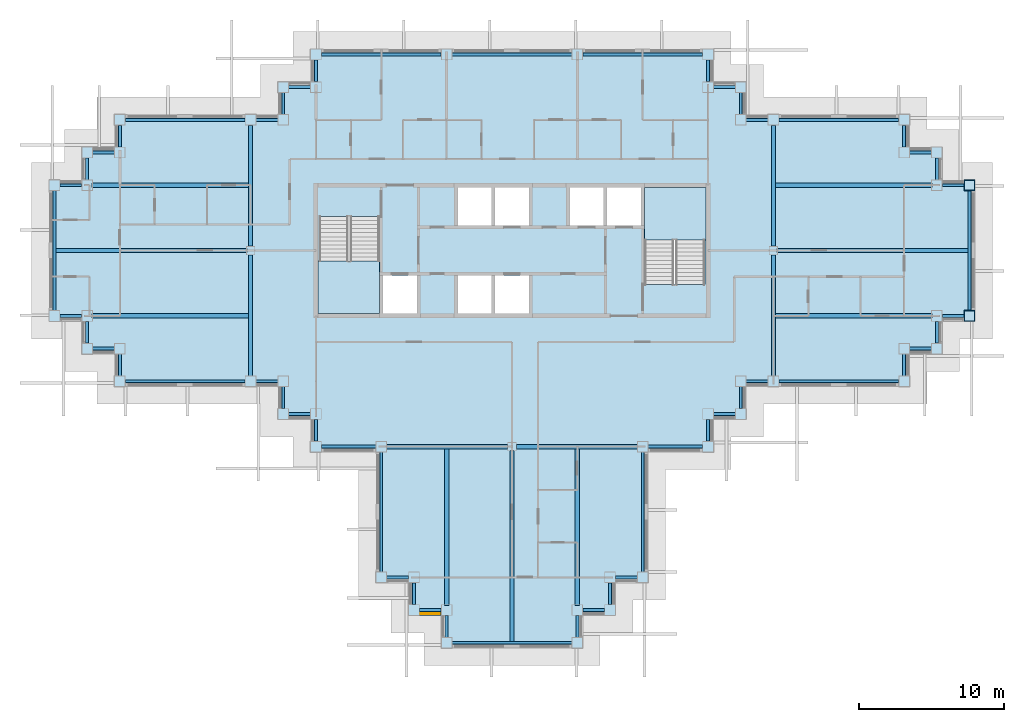
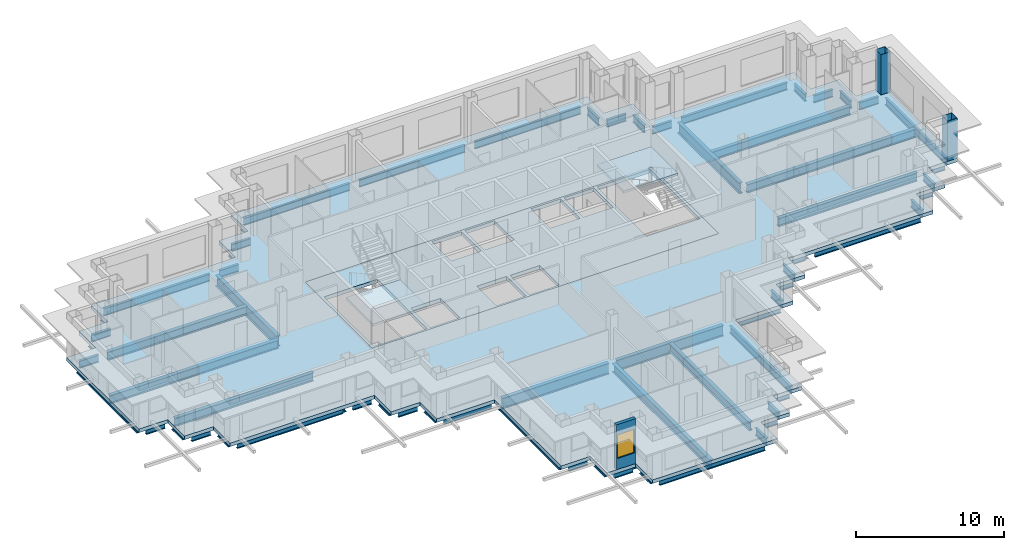
# One storey, part 2 of 14: 69 beams, 4 slabs, 2 columns, 1 wall, 1 window, 1 opening, 2 elements without a shape of their own.
"""IFC4 building model written with IfcOpenShell, lengths in metres."""

from ifc_helpers import new_model, si_unit, direction, frame, frame_2d, origin, origin_2d, place, context, subcontext, project, spatial, polyline, rectangle, hollow_rectangle, i_section, outline, extrude, material, layer, layer_set, material_profile, profile_set, type_object, element, fill, aggregate, save


model = new_model("IFC4")

# Units and contexts
model_context = context("Model", 3, precision=1e-05, world=origin(), true_north=direction((0.0, 1.0)))
body_context = subcontext(model_context, "Body", "Model", "MODEL_VIEW")
ifc_project = project(units=[si_unit("LENGTHUNIT", "METRE"), si_unit("AREAUNIT", "SQUARE_METRE"), si_unit("VOLUMEUNIT", "CUBIC_METRE"), si_unit("PLANEANGLEUNIT", "RADIAN"), si_unit("MASSUNIT", "GRAM", prefix="KILO")], contexts=[model_context])

# Site, building, storey
site_placement = place(None, origin())
site = spatial("IfcSite", under=ifc_project, at=site_placement, CompositionType="ELEMENT")
building_placement = place(site_placement, origin())
building = spatial("IfcBuilding", under=site, at=building_placement, Name="Caravel Reach Hotel and Residences", CompositionType="ELEMENT")
storey_placement = place(building_placement, frame((0.0, 0.0, 183.89990234375)))
storey = spatial("IfcBuildingStorey", under=building, at=storey_placement, Name="L46", CompositionType="ELEMENT", Elevation=183.89990234375)

# Columns
ifc_material_1 = material(Name="Concrete-filled steel tube Q390B with Concrete C60 infill", Category="concrete")
ifc_material_profile_1 = material_profile(ifc_material_1, hollow_rectangle(XDim=0.75, YDim=0.75, WallThickness=0.02392578125, at=origin_2d()), Name="RHS 750x750x24")
ifc_profile_set_1 = profile_set([ifc_material_profile_1], Name="Concrete-filled steel tube Q390B with Concrete C60 infill")
column_type = type_object("IfcColumnType", Name="CFT 750x750 Q390B C60", PredefinedType="COLUMN", material=ifc_profile_set_1)
for number, where, z_axis, x_axis, name in (
    (1, (63.0, 22.5, 0.0), (0.0, 0.0, 1.0), (1.0, 0.0, 0.0), "C14 column"),
    (2, (63.0, 31.5, 0.0), (0.0, 0.0, 1.0), (1.0, 0.0, 0.0), "C14 column"),
):
    element("IfcColumn", number, at=place(storey_placement, frame(where, z_axis=z_axis, x_axis=x_axis)), inside=storey, type_object=column_type, Name=name, PredefinedType="COLUMN", context=body_context, shape_type="SweptSolid", body=[
        extrude(hollow_rectangle(XDim=0.75, YDim=0.75, WallThickness=0.02392578125, at=origin_2d()), origin(), (0.0, 0.0, 1.0), 3.300048828125),
    ])

# Beams
ifc_material_2 = material(Name="Structural steel Q355B", Category="steel")
ifc_material_profile_2 = material_profile(ifc_material_2, i_section(OverallWidth=0.300048828125, OverallDepth=0.699951171875, WebThickness=0.012939453125, FlangeThickness=0.02392578125, FilletRadius=0.01806640625, at=origin_2d()), Name="HN 700x300x13x24")
ifc_profile_set_2 = profile_set([ifc_material_profile_2], Name="Structural steel Q355B")
beam_type_1 = type_object("IfcBeamType", Name="Beam HN 700x300x13x24", PredefinedType="BEAM", material=ifc_profile_set_2)
beam_1_placement = place(storey_placement, frame((27.0, 13.39990234375, -0.64990234375), z_axis=(0.0, -1.0, 0.0), x_axis=(1.0, 0.0, 0.0)))
element("IfcBeam", 3, at=beam_1_placement, inside=storey, type_object=beam_type_1, Name="B2 HN 700x300x13x24", PredefinedType="BEAM", context=body_context, shape_type="SweptSolid", body=[
    extrude(i_section(OverallWidth=0.300048828125, OverallDepth=0.699951171875, WebThickness=0.012939453125, FlangeThickness=0.02392578125, FilletRadius=0.01806640625, at=origin_2d()), origin(), (0.0, 0.0, 1.0), 10.824951171875),
])
beam_2_placement = place(storey_placement, frame((31.5, 13.25, -0.64990234375), z_axis=(0.0, -1.0, 0.0), x_axis=(1.0, 0.0, 0.0)))
element("IfcBeam", 4, at=beam_2_placement, inside=storey, type_object=beam_type_1, Name="B2 HN 700x300x13x24", PredefinedType="BEAM", context=body_context, shape_type="SweptSolid", body=[
    extrude(i_section(OverallWidth=0.300048828125, OverallDepth=0.699951171875, WebThickness=0.012939453125, FlangeThickness=0.02392578125, FilletRadius=0.01806640625, at=origin_2d()), origin(), (0.0, 0.0, 1.0), 13.14990234375),
])
for number, where, z_axis, x_axis, name in (
    (5, (36.0, 13.39990234375, -0.64990234375), (0.0, -1.0, 0.0), (1.0, 0.0, 0.0), "B2 HN 700x300x13x24"),
    (6, (49.60009765625, 22.5, -0.64990234375), (1.0, 0.0, 0.0), (0.0, 1.0, 0.0), "B2 HN 700x300x13x24"),
):
    element("IfcBeam", number, at=place(storey_placement, frame(where, z_axis=z_axis, x_axis=x_axis)), inside=storey, type_object=beam_type_1, Name=name, PredefinedType="BEAM", context=body_context, shape_type="SweptSolid", body=[
        extrude(i_section(OverallWidth=0.300048828125, OverallDepth=0.699951171875, WebThickness=0.012939453125, FlangeThickness=0.02392578125, FilletRadius=0.01806640625, at=origin_2d()), origin(), (0.0, 0.0, 1.0), 10.824951171875),
    ])
beam_3_placement = place(storey_placement, frame((49.75, 27.0, -0.64990234375), z_axis=(1.0, 0.0, 0.0), x_axis=(0.0, 1.0, 0.0)))
element("IfcBeam", 7, at=beam_3_placement, inside=storey, type_object=beam_type_1, Name="B2 HN 700x300x13x24", PredefinedType="BEAM", context=body_context, shape_type="SweptSolid", body=[
    extrude(i_section(OverallWidth=0.300048828125, OverallDepth=0.699951171875, WebThickness=0.012939453125, FlangeThickness=0.02392578125, FilletRadius=0.01806640625, at=origin_2d()), origin(), (0.0, 0.0, 1.0), 13.14990234375),
])
for number, where, z_axis, x_axis, name in (
    (8, (49.60009765625, 31.5, -0.64990234375), (1.0, 0.0, 0.0), (0.0, 1.0, 0.0), "B2 HN 700x300x13x24"),
    (9, (13.39990234375, 22.5, -0.64990234375), (-1.0, 0.0, 0.0), (0.0, -1.0, 0.0), "B2 HN 700x300x13x24"),
):
    element("IfcBeam", number, at=place(storey_placement, frame(where, z_axis=z_axis, x_axis=x_axis)), inside=storey, type_object=beam_type_1, Name=name, PredefinedType="BEAM", context=body_context, shape_type="SweptSolid", body=[
        extrude(i_section(OverallWidth=0.300048828125, OverallDepth=0.699951171875, WebThickness=0.012939453125, FlangeThickness=0.02392578125, FilletRadius=0.01806640625, at=origin_2d()), origin(), (0.0, 0.0, 1.0), 10.824951171875),
    ])
beam_4_placement = place(storey_placement, frame((13.25, 27.0, -0.64990234375), z_axis=(-1.0, 0.0, 0.0), x_axis=(0.0, -1.0, 0.0)))
element("IfcBeam", 10, at=beam_4_placement, inside=storey, type_object=beam_type_1, Name="B2 HN 700x300x13x24", PredefinedType="BEAM", context=body_context, shape_type="SweptSolid", body=[
    extrude(i_section(OverallWidth=0.300048828125, OverallDepth=0.699951171875, WebThickness=0.012939453125, FlangeThickness=0.02392578125, FilletRadius=0.01806640625, at=origin_2d()), origin(), (0.0, 0.0, 1.0), 13.14990234375),
])
beam_5_placement = place(storey_placement, frame((13.39990234375, 31.5, -0.64990234375), z_axis=(-1.0, 0.0, 0.0), x_axis=(0.0, -1.0, 0.0)))
element("IfcBeam", 11, at=beam_5_placement, inside=storey, type_object=beam_type_1, Name="B2 HN 700x300x13x24", PredefinedType="BEAM", context=body_context, shape_type="SweptSolid", body=[
    extrude(i_section(OverallWidth=0.300048828125, OverallDepth=0.699951171875, WebThickness=0.012939453125, FlangeThickness=0.02392578125, FilletRadius=0.01806640625, at=origin_2d()), origin(), (0.0, 0.0, 1.0), 10.824951171875),
])
ifc_material_3 = material(Name="Structural steel Q355B", Category="steel")
ifc_material_profile_3 = material_profile(ifc_material_3, i_section(OverallWidth=0.300048828125, OverallDepth=0.89990234375, WebThickness=0.01611328125, FlangeThickness=0.028076171875, FilletRadius=0.01806640625, at=origin_2d()), Name="HN 900x300x16x28")
ifc_profile_set_3 = profile_set([ifc_material_profile_3], Name="Structural steel Q355B")
beam_type_2 = type_object("IfcBeamType", Name="Beam HN 900x300x16x28", PredefinedType="BEAM", material=ifc_profile_set_3)
for number, where, z_axis, x_axis, name in (
    (12, (22.875, 13.5, -0.75), (1.0, 0.0, 0.0), (0.0, 1.0, 0.0), "B3 HN 900x300x16x28"),
    (13, (31.800048828125, 13.5, -0.75), (1.0, 0.0, 0.0), (0.0, 1.0, 0.0), "B3 HN 900x300x16x28"),
    (14, (13.5, 18.375, -0.75), (0.0, 1.0, 0.0), (-1.0, 0.0, 0.0), "B3 HN 900x300x16x28"),
    (15, (13.5, 27.300048828125, -0.75), (0.0, 1.0, 0.0), (-1.0, 0.0, 0.0), "B3 HN 900x300x16x28"),
    (16, (49.5, 18.375, -0.75), (0.0, 1.0, 0.0), (-1.0, 0.0, 0.0), "B3 HN 900x300x16x28"),
    (17, (49.5, 27.300048828125, -0.75), (0.0, 1.0, 0.0), (-1.0, 0.0, 0.0), "B3 HN 900x300x16x28"),
):
    element("IfcBeam", number, at=place(storey_placement, frame(where, z_axis=z_axis, x_axis=x_axis)), inside=storey, type_object=beam_type_2, Name=name, PredefinedType="BEAM", context=body_context, shape_type="SweptSolid", body=[
        extrude(i_section(OverallWidth=0.300048828125, OverallDepth=0.89990234375, WebThickness=0.01611328125, FlangeThickness=0.028076171875, FilletRadius=0.01806640625, at=origin_2d()), origin(), (0.0, 0.0, 1.0), 8.324951171875),
    ])
ifc_material_4 = material(Name="Structural steel Q355B", Category="steel")
ifc_material_profile_4 = material_profile(ifc_material_4, i_section(OverallWidth=0.199951171875, OverallDepth=0.60009765625, WebThickness=0.010986328125, FlangeThickness=0.01708984375, FilletRadius=0.012939453125, at=origin_2d()), Name="HN 600x200x11x17")
ifc_profile_set_4 = profile_set([ifc_material_profile_4], Name="Structural steel Q355B")
beam_type_3 = type_object("IfcBeamType", Name="Spandrel beam HN 600x200x11x17", PredefinedType="SPANDREL", material=ifc_profile_set_4)
for number, where, z_axis, x_axis, name in (
    (18, (22.875, 4.5, -0.599853515625), (1.0, 0.0, 0.0), (0.0, 1.0, 0.0), "SP1 HN 600x200x11x17"),
    (19, (24.75, 4.125, -0.599853515625), (0.0, -1.0, 0.0), (1.0, 0.0, 0.0), "SP1 HN 600x200x11x17"),
    (20, (25.125, 2.25, -0.599853515625), (1.0, 0.0, 0.0), (0.0, 1.0, 0.0), "SP1 HN 600x200x11x17"),
    (21, (27.0, 1.875, -0.599853515625), (0.0, -1.0, 0.0), (1.0, 0.0, 0.0), "SP1 HN 600x200x11x17"),
):
    element("IfcBeam", number, at=place(storey_placement, frame(where, z_axis=z_axis, x_axis=x_axis)), inside=storey, type_object=beam_type_3, Name=name, PredefinedType="SPANDREL", context=body_context, shape_type="SweptSolid", body=[
        extrude(i_section(OverallWidth=0.199951171875, OverallDepth=0.60009765625, WebThickness=0.010986328125, FlangeThickness=0.01708984375, FilletRadius=0.012939453125, at=origin_2d()), origin(), (0.0, 0.0, 1.0), 1.5),
    ])
beam_6_placement = place(storey_placement, frame((27.375, 0.0, -0.599853515625), z_axis=(1.0, 0.0, 0.0), x_axis=(0.0, 1.0, 0.0)))
element("IfcBeam", 22, at=beam_6_placement, inside=storey, type_object=beam_type_3, Name="SP1 HN 600x200x11x17", PredefinedType="SPANDREL", context=body_context, shape_type="SweptSolid", body=[
    extrude(i_section(OverallWidth=0.199951171875, OverallDepth=0.60009765625, WebThickness=0.010986328125, FlangeThickness=0.01708984375, FilletRadius=0.012939453125, at=origin_2d()), origin(), (0.0, 0.0, 1.0), 8.25),
])
for number, where, z_axis, x_axis, name in (
    (23, (36.0, 0.375, -0.599853515625), (0.0, 1.0, 0.0), (-1.0, 0.0, 0.0), "SP1 HN 600x200x11x17"),
    (24, (36.375, 2.25, -0.599853515625), (1.0, 0.0, 0.0), (0.0, 1.0, 0.0), "SP1 HN 600x200x11x17"),
    (25, (38.25, 2.625, -0.599853515625), (0.0, 1.0, 0.0), (-1.0, 0.0, 0.0), "SP1 HN 600x200x11x17"),
    (26, (38.625, 4.5, -0.599853515625), (1.0, 0.0, 0.0), (0.0, 1.0, 0.0), "SP1 HN 600x200x11x17"),
):
    element("IfcBeam", number, at=place(storey_placement, frame(where, z_axis=z_axis, x_axis=x_axis)), inside=storey, type_object=beam_type_3, Name=name, PredefinedType="SPANDREL", context=body_context, shape_type="SweptSolid", body=[
        extrude(i_section(OverallWidth=0.199951171875, OverallDepth=0.60009765625, WebThickness=0.010986328125, FlangeThickness=0.01708984375, FilletRadius=0.012939453125, at=origin_2d()), origin(), (0.0, 0.0, 1.0), 1.5),
    ])
beam_7_placement = place(storey_placement, frame((40.5, 4.875, -0.599853515625), z_axis=(0.0, 1.0, 0.0), x_axis=(-1.0, 0.0, 0.0)))
element("IfcBeam", 27, at=beam_7_placement, inside=storey, type_object=beam_type_3, Name="SP1 HN 600x200x11x17", PredefinedType="SPANDREL", context=body_context, shape_type="SweptSolid", body=[
    extrude(i_section(OverallWidth=0.199951171875, OverallDepth=0.60009765625, WebThickness=0.010986328125, FlangeThickness=0.01708984375, FilletRadius=0.012939453125, at=origin_2d()), origin(), (0.0, 0.0, 1.0), 8.25),
])
beam_8_placement = place(storey_placement, frame((40.875, 13.5, -0.599853515625), z_axis=(1.0, 0.0, 0.0), x_axis=(0.0, 1.0, 0.0)))
element("IfcBeam", 28, at=beam_8_placement, inside=storey, type_object=beam_type_3, Name="SP1 HN 600x200x11x17", PredefinedType="SPANDREL", context=body_context, shape_type="SweptSolid", body=[
    extrude(i_section(OverallWidth=0.199951171875, OverallDepth=0.60009765625, WebThickness=0.010986328125, FlangeThickness=0.01708984375, FilletRadius=0.012939453125, at=origin_2d()), origin(), (0.0, 0.0, 1.0), 3.75),
])
for number, where, z_axis, x_axis, name in (
    (29, (45.0, 13.875, -0.599853515625), (0.0, 1.0, 0.0), (-1.0, 0.0, 0.0), "SP1 HN 600x200x11x17"),
    (30, (45.375, 15.75, -0.599853515625), (1.0, 0.0, 0.0), (0.0, 1.0, 0.0), "SP1 HN 600x200x11x17"),
    (31, (47.25, 16.125, -0.599853515625), (0.0, 1.0, 0.0), (-1.0, 0.0, 0.0), "SP1 HN 600x200x11x17"),
    (32, (47.625, 18.0, -0.599853515625), (1.0, 0.0, 0.0), (0.0, 1.0, 0.0), "SP1 HN 600x200x11x17"),
):
    element("IfcBeam", number, at=place(storey_placement, frame(where, z_axis=z_axis, x_axis=x_axis)), inside=storey, type_object=beam_type_3, Name=name, PredefinedType="SPANDREL", context=body_context, shape_type="SweptSolid", body=[
        extrude(i_section(OverallWidth=0.199951171875, OverallDepth=0.60009765625, WebThickness=0.010986328125, FlangeThickness=0.01708984375, FilletRadius=0.012939453125, at=origin_2d()), origin(), (0.0, 0.0, 1.0), 1.5),
    ])
beam_9_placement = place(storey_placement, frame((49.875, 18.0, -0.599853515625), z_axis=(1.0, 0.0, 0.0), x_axis=(0.0, 1.0, 0.0)))
element("IfcBeam", 33, at=beam_9_placement, inside=storey, type_object=beam_type_3, Name="SP1 HN 600x200x11x17", PredefinedType="SPANDREL", context=body_context, shape_type="SweptSolid", body=[
    extrude(i_section(OverallWidth=0.199951171875, OverallDepth=0.60009765625, WebThickness=0.010986328125, FlangeThickness=0.01708984375, FilletRadius=0.012939453125, at=origin_2d()), origin(), (0.0, 0.0, 1.0), 8.25),
])
for number, where, z_axis, x_axis, name in (
    (34, (58.5, 18.375, -0.599853515625), (0.0, 1.0, 0.0), (-1.0, 0.0, 0.0), "SP1 HN 600x200x11x17"),
    (35, (58.875, 20.25, -0.599853515625), (1.0, 0.0, 0.0), (0.0, 1.0, 0.0), "SP1 HN 600x200x11x17"),
    (36, (60.75, 20.625, -0.599853515625), (0.0, 1.0, 0.0), (-1.0, 0.0, 0.0), "SP1 HN 600x200x11x17"),
    (37, (61.125, 22.5, -0.599853515625), (1.0, 0.0, 0.0), (0.0, 1.0, 0.0), "SP1 HN 600x200x11x17"),
):
    element("IfcBeam", number, at=place(storey_placement, frame(where, z_axis=z_axis, x_axis=x_axis)), inside=storey, type_object=beam_type_3, Name=name, PredefinedType="SPANDREL", context=body_context, shape_type="SweptSolid", body=[
        extrude(i_section(OverallWidth=0.199951171875, OverallDepth=0.60009765625, WebThickness=0.010986328125, FlangeThickness=0.01708984375, FilletRadius=0.012939453125, at=origin_2d()), origin(), (0.0, 0.0, 1.0), 1.5),
    ])
beam_10_placement = place(storey_placement, frame((63.0, 22.875, -0.599853515625), z_axis=(0.0, 1.0, 0.0), x_axis=(-1.0, 0.0, 0.0)))
element("IfcBeam", 38, at=beam_10_placement, inside=storey, type_object=beam_type_3, Name="SP1 HN 600x200x11x17", PredefinedType="SPANDREL", context=body_context, shape_type="SweptSolid", body=[
    extrude(i_section(OverallWidth=0.199951171875, OverallDepth=0.60009765625, WebThickness=0.010986328125, FlangeThickness=0.01708984375, FilletRadius=0.012939453125, at=origin_2d()), origin(), (0.0, 0.0, 1.0), 8.25),
])
for number, where, z_axis, x_axis, name in (
    (39, (62.625, 31.5, -0.599853515625), (-1.0, 0.0, 0.0), (0.0, -1.0, 0.0), "SP1 HN 600x200x11x17"),
    (40, (60.75, 31.875, -0.599853515625), (0.0, 1.0, 0.0), (-1.0, 0.0, 0.0), "SP1 HN 600x200x11x17"),
    (41, (60.375, 33.75, -0.599853515625), (-1.0, 0.0, 0.0), (0.0, -1.0, 0.0), "SP1 HN 600x200x11x17"),
    (42, (58.5, 34.125, -0.599853515625), (0.0, 1.0, 0.0), (-1.0, 0.0, 0.0), "SP1 HN 600x200x11x17"),
):
    element("IfcBeam", number, at=place(storey_placement, frame(where, z_axis=z_axis, x_axis=x_axis)), inside=storey, type_object=beam_type_3, Name=name, PredefinedType="SPANDREL", context=body_context, shape_type="SweptSolid", body=[
        extrude(i_section(OverallWidth=0.199951171875, OverallDepth=0.60009765625, WebThickness=0.010986328125, FlangeThickness=0.01708984375, FilletRadius=0.012939453125, at=origin_2d()), origin(), (0.0, 0.0, 1.0), 1.5),
    ])
beam_11_placement = place(storey_placement, frame((58.125, 36.0, -0.599853515625), z_axis=(-1.0, 0.0, 0.0), x_axis=(0.0, -1.0, 0.0)))
element("IfcBeam", 43, at=beam_11_placement, inside=storey, type_object=beam_type_3, Name="SP1 HN 600x200x11x17", PredefinedType="SPANDREL", context=body_context, shape_type="SweptSolid", body=[
    extrude(i_section(OverallWidth=0.199951171875, OverallDepth=0.60009765625, WebThickness=0.010986328125, FlangeThickness=0.01708984375, FilletRadius=0.012939453125, at=origin_2d()), origin(), (0.0, 0.0, 1.0), 8.25),
])
for number, where, z_axis, x_axis, name in (
    (44, (49.125, 36.0, -0.599853515625), (-1.0, 0.0, 0.0), (0.0, -1.0, 0.0), "SP1 HN 600x200x11x17"),
    (45, (47.25, 36.375, -0.599853515625), (0.0, 1.0, 0.0), (-1.0, 0.0, 0.0), "SP1 HN 600x200x11x17"),
    (46, (46.875, 38.25, -0.599853515625), (-1.0, 0.0, 0.0), (0.0, -1.0, 0.0), "SP1 HN 600x200x11x17"),
    (47, (45.0, 38.625, -0.599853515625), (0.0, 1.0, 0.0), (-1.0, 0.0, 0.0), "SP1 HN 600x200x11x17"),
):
    element("IfcBeam", number, at=place(storey_placement, frame(where, z_axis=z_axis, x_axis=x_axis)), inside=storey, type_object=beam_type_3, Name=name, PredefinedType="SPANDREL", context=body_context, shape_type="SweptSolid", body=[
        extrude(i_section(OverallWidth=0.199951171875, OverallDepth=0.60009765625, WebThickness=0.010986328125, FlangeThickness=0.01708984375, FilletRadius=0.012939453125, at=origin_2d()), origin(), (0.0, 0.0, 1.0), 1.5),
    ])
for number, where, z_axis, x_axis, name in (
    (48, (44.625, 40.5, -0.599853515625), (-1.0, 0.0, 0.0), (0.0, -1.0, 0.0), "SP1 HN 600x200x11x17"),
    (49, (35.625, 40.5, -0.599853515625), (-1.0, 0.0, 0.0), (0.0, -1.0, 0.0), "SP1 HN 600x200x11x17"),
    (50, (26.625, 40.5, -0.599853515625), (-1.0, 0.0, 0.0), (0.0, -1.0, 0.0), "SP1 HN 600x200x11x17"),
):
    element("IfcBeam", number, at=place(storey_placement, frame(where, z_axis=z_axis, x_axis=x_axis)), inside=storey, type_object=beam_type_3, Name=name, PredefinedType="SPANDREL", context=body_context, shape_type="SweptSolid", body=[
        extrude(i_section(OverallWidth=0.199951171875, OverallDepth=0.60009765625, WebThickness=0.010986328125, FlangeThickness=0.01708984375, FilletRadius=0.012939453125, at=origin_2d()), origin(), (0.0, 0.0, 1.0), 8.25),
    ])
for number, where, z_axis, x_axis, name in (
    (51, (18.0, 40.125, -0.599853515625), (0.0, -1.0, 0.0), (1.0, 0.0, 0.0), "SP1 HN 600x200x11x17"),
    (52, (17.625, 38.25, -0.599853515625), (-1.0, 0.0, 0.0), (0.0, -1.0, 0.0), "SP1 HN 600x200x11x17"),
    (53, (15.75, 37.875, -0.599853515625), (0.0, -1.0, 0.0), (1.0, 0.0, 0.0), "SP1 HN 600x200x11x17"),
    (54, (15.375, 36.0, -0.599853515625), (-1.0, 0.0, 0.0), (0.0, -1.0, 0.0), "SP1 HN 600x200x11x17"),
):
    element("IfcBeam", number, at=place(storey_placement, frame(where, z_axis=z_axis, x_axis=x_axis)), inside=storey, type_object=beam_type_3, Name=name, PredefinedType="SPANDREL", context=body_context, shape_type="SweptSolid", body=[
        extrude(i_section(OverallWidth=0.199951171875, OverallDepth=0.60009765625, WebThickness=0.010986328125, FlangeThickness=0.01708984375, FilletRadius=0.012939453125, at=origin_2d()), origin(), (0.0, 0.0, 1.0), 1.5),
    ])
beam_12_placement = place(storey_placement, frame((13.125, 36.0, -0.599853515625), z_axis=(-1.0, 0.0, 0.0), x_axis=(0.0, -1.0, 0.0)))
element("IfcBeam", 55, at=beam_12_placement, inside=storey, type_object=beam_type_3, Name="SP1 HN 600x200x11x17", PredefinedType="SPANDREL", context=body_context, shape_type="SweptSolid", body=[
    extrude(i_section(OverallWidth=0.199951171875, OverallDepth=0.60009765625, WebThickness=0.010986328125, FlangeThickness=0.01708984375, FilletRadius=0.012939453125, at=origin_2d()), origin(), (0.0, 0.0, 1.0), 8.25),
])
for number, where, z_axis, x_axis, name in (
    (56, (4.5, 35.625, -0.599853515625), (0.0, -1.0, 0.0), (1.0, 0.0, 0.0), "SP1 HN 600x200x11x17"),
    (57, (4.125, 33.75, -0.599853515625), (-1.0, 0.0, 0.0), (0.0, -1.0, 0.0), "SP1 HN 600x200x11x17"),
    (58, (2.25, 33.375, -0.599853515625), (0.0, -1.0, 0.0), (1.0, 0.0, 0.0), "SP1 HN 600x200x11x17"),
    (59, (1.875, 31.5, -0.599853515625), (-1.0, 0.0, 0.0), (0.0, -1.0, 0.0), "SP1 HN 600x200x11x17"),
):
    element("IfcBeam", number, at=place(storey_placement, frame(where, z_axis=z_axis, x_axis=x_axis)), inside=storey, type_object=beam_type_3, Name=name, PredefinedType="SPANDREL", context=body_context, shape_type="SweptSolid", body=[
        extrude(i_section(OverallWidth=0.199951171875, OverallDepth=0.60009765625, WebThickness=0.010986328125, FlangeThickness=0.01708984375, FilletRadius=0.012939453125, at=origin_2d()), origin(), (0.0, 0.0, 1.0), 1.5),
    ])
beam_13_placement = place(storey_placement, frame((0.0, 31.125, -0.599853515625), z_axis=(0.0, -1.0, 0.0), x_axis=(1.0, 0.0, 0.0)))
element("IfcBeam", 60, at=beam_13_placement, inside=storey, type_object=beam_type_3, Name="SP1 HN 600x200x11x17", PredefinedType="SPANDREL", context=body_context, shape_type="SweptSolid", body=[
    extrude(i_section(OverallWidth=0.199951171875, OverallDepth=0.60009765625, WebThickness=0.010986328125, FlangeThickness=0.01708984375, FilletRadius=0.012939453125, at=origin_2d()), origin(), (0.0, 0.0, 1.0), 8.25),
])
for number, where, z_axis, x_axis, name in (
    (61, (0.375, 22.5, -0.599853515625), (1.0, 0.0, 0.0), (0.0, 1.0, 0.0), "SP1 HN 600x200x11x17"),
    (62, (2.25, 22.125, -0.599853515625), (0.0, -1.0, 0.0), (1.0, 0.0, 0.0), "SP1 HN 600x200x11x17"),
    (63, (2.625, 20.25, -0.599853515625), (1.0, 0.0, 0.0), (0.0, 1.0, 0.0), "SP1 HN 600x200x11x17"),
    (64, (4.5, 19.875, -0.599853515625), (0.0, -1.0, 0.0), (1.0, 0.0, 0.0), "SP1 HN 600x200x11x17"),
):
    element("IfcBeam", number, at=place(storey_placement, frame(where, z_axis=z_axis, x_axis=x_axis)), inside=storey, type_object=beam_type_3, Name=name, PredefinedType="SPANDREL", context=body_context, shape_type="SweptSolid", body=[
        extrude(i_section(OverallWidth=0.199951171875, OverallDepth=0.60009765625, WebThickness=0.010986328125, FlangeThickness=0.01708984375, FilletRadius=0.012939453125, at=origin_2d()), origin(), (0.0, 0.0, 1.0), 1.5),
    ])
beam_14_placement = place(storey_placement, frame((4.875, 18.0, -0.599853515625), z_axis=(1.0, 0.0, 0.0), x_axis=(0.0, 1.0, 0.0)))
element("IfcBeam", 65, at=beam_14_placement, inside=storey, type_object=beam_type_3, Name="SP1 HN 600x200x11x17", PredefinedType="SPANDREL", context=body_context, shape_type="SweptSolid", body=[
    extrude(i_section(OverallWidth=0.199951171875, OverallDepth=0.60009765625, WebThickness=0.010986328125, FlangeThickness=0.01708984375, FilletRadius=0.012939453125, at=origin_2d()), origin(), (0.0, 0.0, 1.0), 8.25),
])
for number, where, z_axis, x_axis, name in (
    (66, (13.875, 18.0, -0.599853515625), (1.0, 0.0, 0.0), (0.0, 1.0, 0.0), "SP1 HN 600x200x11x17"),
    (67, (15.75, 17.625, -0.599853515625), (0.0, -1.0, 0.0), (1.0, 0.0, 0.0), "SP1 HN 600x200x11x17"),
    (68, (16.125, 15.75, -0.599853515625), (1.0, 0.0, 0.0), (0.0, 1.0, 0.0), "SP1 HN 600x200x11x17"),
    (69, (18.0, 15.375, -0.599853515625), (0.0, -1.0, 0.0), (1.0, 0.0, 0.0), "SP1 HN 600x200x11x17"),
):
    element("IfcBeam", number, at=place(storey_placement, frame(where, z_axis=z_axis, x_axis=x_axis)), inside=storey, type_object=beam_type_3, Name=name, PredefinedType="SPANDREL", context=body_context, shape_type="SweptSolid", body=[
        extrude(i_section(OverallWidth=0.199951171875, OverallDepth=0.60009765625, WebThickness=0.010986328125, FlangeThickness=0.01708984375, FilletRadius=0.012939453125, at=origin_2d()), origin(), (0.0, 0.0, 1.0), 1.5),
    ])
beam_15_placement = place(storey_placement, frame((18.375, 13.5, -0.599853515625), z_axis=(1.0, 0.0, 0.0), x_axis=(0.0, 1.0, 0.0)))
element("IfcBeam", 70, at=beam_15_placement, inside=storey, type_object=beam_type_3, Name="SP1 HN 600x200x11x17", PredefinedType="SPANDREL", context=body_context, shape_type="SweptSolid", body=[
    extrude(i_section(OverallWidth=0.199951171875, OverallDepth=0.60009765625, WebThickness=0.010986328125, FlangeThickness=0.01708984375, FilletRadius=0.012939453125, at=origin_2d()), origin(), (0.0, 0.0, 1.0), 3.75),
])
beam_16_placement = place(storey_placement, frame((22.5, 13.125, -0.599853515625), z_axis=(0.0, -1.0, 0.0), x_axis=(1.0, 0.0, 0.0)))
element("IfcBeam", 71, at=beam_16_placement, inside=storey, type_object=beam_type_3, Name="SP1 HN 600x200x11x17", PredefinedType="SPANDREL", context=body_context, shape_type="SweptSolid", body=[
    extrude(i_section(OverallWidth=0.199951171875, OverallDepth=0.60009765625, WebThickness=0.010986328125, FlangeThickness=0.01708984375, FilletRadius=0.012939453125, at=origin_2d()), origin(), (0.0, 0.0, 1.0), 8.25),
])

# Slab
ifc_material_5 = material(Name="Concrete C40", Category="concrete")
ifc_layer_1 = layer(ifc_material_5, 0.300048828125)
ifc_layer_set_1 = layer_set([ifc_layer_1], Name="Core floor slab 300 mm")
slab_type_1 = type_object("IfcSlabType", Name="Core floor slab 300 mm", PredefinedType="FLOOR", material=ifc_layer_set_1)
slab_1_placement = place(storey_placement, frame((0.0, 0.0, -0.2998046875)))
element("IfcSlab", 72, at=slab_1_placement, inside=storey, type_object=slab_type_1, Name="L46 core floor", PredefinedType="FLOOR", context=body_context, shape_type="SweptSolid", body=[
    extrude(outline(polyline([(18.0, 31.5), (45.0, 31.5), (45.0, 22.5), (18.0, 22.5), (18.0, 31.5)]), holes=[polyline([(22.625, 25.27490234375), (22.625, 22.64990234375), (24.9462890625, 22.64990234375), (24.9462890625, 25.27490234375), (22.625, 25.27490234375)]), polyline([(27.767822265625, 25.27490234375), (27.767822265625, 22.64990234375), (30.08935546875, 22.64990234375), (30.08935546875, 25.27490234375), (27.767822265625, 25.27490234375)]), polyline([(30.33935546875, 25.27490234375), (30.33935546875, 22.64990234375), (32.66064453125, 22.64990234375), (32.66064453125, 25.27490234375), (30.33935546875, 25.27490234375)]), polyline([(22.375, 22.64990234375), (22.375, 29.35009765625), (18.22509765625, 29.35009765625), (18.22509765625, 22.64990234375), (22.375, 22.64990234375)]), polyline([(40.625, 31.35009765625), (40.625, 24.64990234375), (44.77490234375, 24.64990234375), (44.77490234375, 31.35009765625), (40.625, 31.35009765625)]), polyline([(27.767822265625, 31.35009765625), (27.767822265625, 28.72509765625), (30.08935546875, 28.72509765625), (30.08935546875, 31.35009765625), (27.767822265625, 31.35009765625)]), polyline([(30.33935546875, 31.35009765625), (30.33935546875, 28.72509765625), (32.66064453125, 28.72509765625), (32.66064453125, 31.35009765625), (30.33935546875, 31.35009765625)]), polyline([(37.8037109375, 31.35009765625), (35.482177734375, 31.35009765625), (35.482177734375, 28.72509765625), (37.8037109375, 28.72509765625), (37.8037109375, 31.35009765625)]), polyline([(40.375, 31.35009765625), (38.0537109375, 31.35009765625), (38.0537109375, 28.72509765625), (40.375, 28.72509765625), (40.375, 31.35009765625)])]), origin(), (0.0, 0.0, 1.0), 0.2998046875),
])

# Stair, slab
ifc_material_6 = material(Name="Concrete C40", Category="concrete")
stair_type = type_object("IfcStairType", Name="Core stair", PredefinedType="HALF_TURN_STAIR", material=ifc_material_6)
stair_1_placement = place(storey_placement, origin())
stair_1 = element("IfcStair", 73, at=stair_1_placement, inside=storey, type_object=stair_type, Name="L46 Exit stair A", PredefinedType="HALF_TURN_STAIR")
ifc_material_7 = material(Name="Concrete C40", Category="concrete")
ifc_layer_2 = layer(ifc_material_7, 0.199951171875)
ifc_layer_set_2 = layer_set([ifc_layer_2], Name="Core stair landing")
slab_type_2 = type_object("IfcSlabType", Name="Core stair landing", PredefinedType="LANDING", material=ifc_layer_set_2)
slab_2_placement = place(storey_placement, frame((0.0, 0.0, 1.650146484375)))
slab_2 = element("IfcSlab", 74, at=slab_2_placement, type_object=slab_type_2, Name="ST-A landing 1", PredefinedType="LANDING", context=body_context, shape_type="SweptSolid", body=[
    extrude(outline(polyline([(18.14990234375, 26.27001953125), (18.14990234375, 22.64990234375), (22.375, 22.64990234375), (22.375, 26.27001953125), (18.14990234375, 26.27001953125)])), origin(), (0.0, 0.0, 1.0), 0.199951171875),
])
aggregate(stair_1, [slab_2])

stair_2_placement = place(storey_placement, origin())
stair_2 = element("IfcStair", 75, at=stair_2_placement, inside=storey, type_object=stair_type, Name="L46 Exit stair B", PredefinedType="HALF_TURN_STAIR")
slab_3_placement = place(storey_placement, frame((0.0, 0.0, 1.650146484375)))
slab_3 = element("IfcSlab", 76, at=slab_3_placement, type_object=slab_type_2, Name="ST-B landing 1", PredefinedType="LANDING", context=body_context, shape_type="SweptSolid", body=[
    extrude(outline(polyline([(44.85009765625, 27.72998046875), (44.85009765625, 31.35009765625), (40.625, 31.35009765625), (40.625, 27.72998046875), (44.85009765625, 27.72998046875)])), origin(), (0.0, 0.0, 1.0), 0.199951171875),
])
aggregate(stair_2, [slab_3])

# Slab
ifc_material_8 = material(Name="Concrete C40 post-tensioned", Category="concrete")
ifc_layer_3 = layer(ifc_material_8, 0.300048828125)
ifc_layer_set_3 = layer_set([ifc_layer_3], Name="Floor slab 300")
slab_type_3 = type_object("IfcSlabType", Name="Floor slab 300", PredefinedType="FLOOR", material=ifc_layer_set_3)
slab_4_placement = place(storey_placement, frame((0.0, 0.0, -0.2998046875)))
element("IfcSlab", 77, at=slab_4_placement, inside=storey, type_object=slab_type_3, Name="S2 slab L46", PredefinedType="FLOOR", context=body_context, shape_type="SweptSolid", body=[
    extrude(outline(polyline([(17.625, 13.125), (17.625, 15.375), (15.375, 15.375), (15.375, 17.625), (4.125, 17.625), (4.125, 19.875), (1.875, 19.875), (1.875, 22.125), (-0.375, 22.125), (-0.375, 31.875), (1.875, 31.875), (1.875, 34.125), (4.125, 34.125), (4.125, 36.375), (15.375, 36.375), (15.375, 38.625), (17.625, 38.625), (17.625, 40.875), (45.375, 40.875), (45.375, 38.625), (47.625, 38.625), (47.625, 36.375), (58.875, 36.375), (58.875, 34.125), (61.125, 34.125), (61.125, 31.875), (63.375, 31.875), (63.375, 22.125), (61.125, 22.125), (61.125, 19.875), (58.875, 19.875), (58.875, 17.625), (47.625, 17.625), (47.625, 15.375), (45.375, 15.375), (45.375, 13.125), (40.875, 13.125), (40.875, 4.125), (38.625, 4.125), (38.625, 1.875), (36.375, 1.875), (36.375, -0.375), (26.625, -0.375), (26.625, 1.875), (24.375, 1.875), (24.375, 4.125), (22.125, 4.125), (22.125, 13.125), (17.625, 13.125)]), holes=[polyline([(45.0, 31.5), (18.0, 31.5), (18.0, 22.5), (45.0, 22.5), (45.0, 31.5)])]), origin(), (0.0, 0.0, 1.0), 0.2998046875),
])

# Wall, opening, window
ifc_material_9 = material(Name="Insulated rainscreen wall, aluminium cladding", Category="aluminium")
ifc_layer_4 = layer(ifc_material_9, 0.25)
ifc_layer_set_4 = layer_set([ifc_layer_4], Name="EW1 Tower rainscreen wall")
wall_type = type_object("IfcWallType", Name="EW1 Tower rainscreen wall", PredefinedType="SOLIDWALL", material=ifc_layer_set_4)
wall_placement = place(storey_placement, frame((25.125, 2.0, 0.0), z_axis=(0.0, 0.0, 1.0), x_axis=(1.0, 0.0, 0.0)))
wall = element("IfcWall", 78, at=wall_placement, inside=storey, type_object=wall_type, Name="External wall L46 S3.1", PredefinedType="SOLIDWALL", context=body_context, shape_type="SweptSolid", body=[
    extrude(rectangle(XDim=1.5, YDim=0.25, at=frame_2d((0.75, 0.0))), origin(), (0.0, 0.0, 1.0), 3.7001953125),
])
opening_placement = place(wall_placement, frame((0.10009765625, 0.0, 0.89990234375)))
opening = element("IfcOpeningElement", 79, at=opening_placement, cuts=wall, Name="Opening WN17", PredefinedType="OPENING", context=body_context, shape_type="SweptSolid", body=[
    extrude(rectangle(XDim=1.300048828125, YDim=1.949951171875, at=frame_2d((0.64990234375, 0.97509765625))), frame((0.0, 0.135009765625, 0.0), z_axis=(0.0, -1.0, 0.0), x_axis=(1.0, 0.0, 0.0)), (0.0, 0.0, 1.0), 0.27001953125),
])
ifc_material_10 = material(Name="Dark low-e glazing in black aluminium frame", Category="aluminium")
window_type = type_object("IfcWindowType", Name="Residence bedroom window 1300 x 1950", PartitioningType="SINGLE_PANEL", PredefinedType="WINDOW", material=ifc_material_10)
window_placement = place(opening_placement, origin())
window = element("IfcWindow", 80, at=window_placement, inside=storey, type_object=window_type, Name="Window L46 S3.1.1", OverallHeight=1.949951171875, OverallWidth=1.300048828125, PartitioningType="SINGLE_PANEL", PredefinedType="WINDOW", context=body_context, shape_type="SweptSolid", body=[
    extrude(rectangle(XDim=1.300048828125, YDim=1.949951171875, at=frame_2d((0.64990234375, 0.97509765625))), frame((0.0, 0.030029296875, 0.0), z_axis=(0.0, -1.0, 0.0), x_axis=(1.0, 0.0, 0.0)), (0.0, 0.0, 1.0), 0.06005859375),
])
fill(opening, window)

save(model, "model.ifc")
